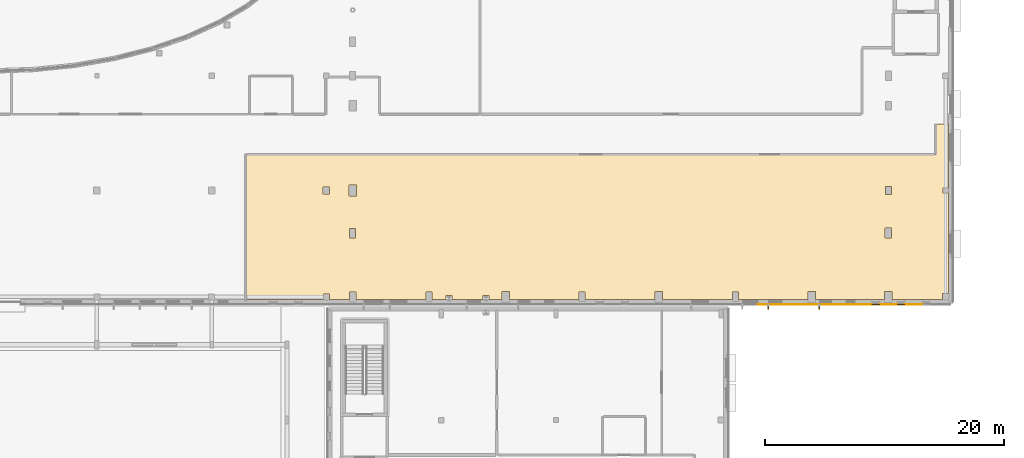
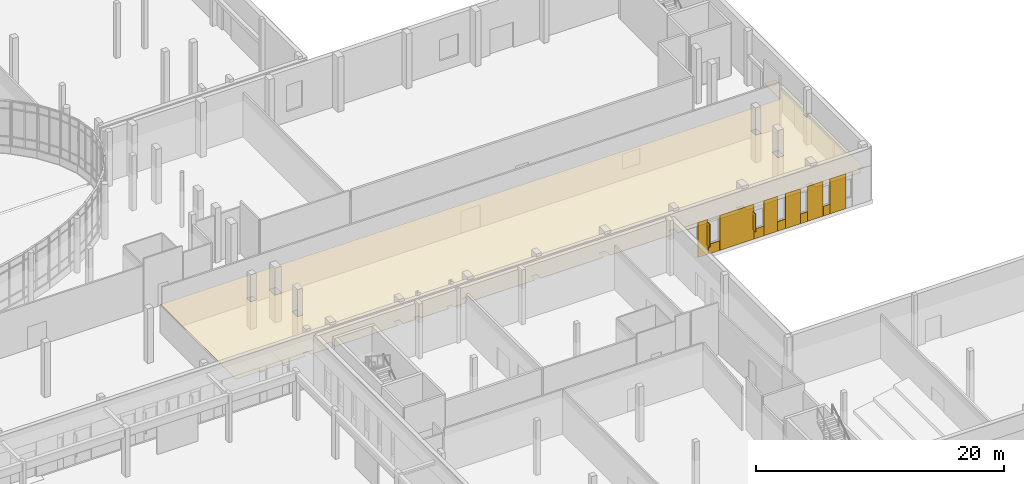
# One storey, part 80 of 84: 12 coverings, 2 shading devices.
"""IFC4 building model written with IfcOpenShell, lengths in metres."""

from ifc_helpers import new_model, si_unit, direction, frame, origin, origin_2d, place, context, subcontext, project, spatial, polyline, rectangle, outline, extrude, material, layer, layer_set, type_object, element, save


model = new_model("IFC4")

# Units and contexts
model_context = context("Model", 3, precision=1e-05, world=origin(), true_north=direction((0.0, 1.0)))
body_context = subcontext(model_context, "Body", "Model", "MODEL_VIEW")
ifc_project = project(units=[si_unit("LENGTHUNIT", "METRE"), si_unit("AREAUNIT", "SQUARE_METRE"), si_unit("VOLUMEUNIT", "CUBIC_METRE"), si_unit("PLANEANGLEUNIT", "RADIAN"), si_unit("MASSUNIT", "GRAM", prefix="KILO")], contexts=[model_context])

# Site, building, storey
site_placement = place(None, origin())
site = spatial("IfcSite", under=ifc_project, at=site_placement, CompositionType="ELEMENT")
building_placement = place(site_placement, origin())
building = spatial("IfcBuilding", under=site, at=building_placement, Name="Mzevani Central Library", CompositionType="ELEMENT")
storey_placement = place(building_placement, origin())
storey = spatial("IfcBuildingStorey", under=building, at=storey_placement, Name="L00", CompositionType="ELEMENT", Elevation=0.0)

# Shading devices
ifc_material_1 = material(Name="Anodized architectural bronze")
shading_device_type = type_object("IfcShadingDeviceType", Name="Anodized Bronze Vertical Sun-Breaker Fin", PredefinedType="USERDEFINED", material=ifc_material_1)
shading_device_1_placement = place(storey_placement, frame((153.22998046875, 42.27490234375, 0.9501953125), z_axis=(0.0, 0.0, 1.0), x_axis=(-1.0, 0.0, 0.0)))
element("IfcShadingDevice", 1, at=shading_device_1_placement, inside=storey, type_object=shading_device_type, Name="L00 V1 Solar Fin (5)", ObjectType="SOLAR FIN", PredefinedType="USERDEFINED", context=body_context, shape_type="SweptSolid", body=[
    extrude(rectangle(XDim=0.080078125, YDim=0.449951171875, at=origin_2d()), origin(), (0.0, 0.0, 1.0), 1.800048828125),
])
shading_device_2_placement = place(storey_placement, frame((148.955078125, 42.27490234375, 0.9501953125), z_axis=(0.0, 0.0, 1.0), x_axis=(-1.0, 0.0, 0.0)))
element("IfcShadingDevice", 2, at=shading_device_2_placement, inside=storey, type_object=shading_device_type, Name="L00 V1 Solar Fin (6)", ObjectType="SOLAR FIN", PredefinedType="USERDEFINED", context=body_context, shape_type="SweptSolid", body=[
    extrude(rectangle(XDim=0.080078125, YDim=0.449951171875, at=origin_2d()), origin(), (0.0, 0.0, 1.0), 2.300048828125),
])

# Coverings
ifc_material_2 = material(Name="Limestone ashlar cladding", Category="masonry")
ifc_layer_1 = layer(ifc_material_2, 0.050048828125, Name="Limestone Ashlar Spandrel Cladding")
ifc_layer_set_1 = layer_set([ifc_layer_1], Name="Limestone ashlar cladding")
covering_type_1 = type_object("IfcCoveringType", Name="Limestone Ashlar Spandrel Cladding", PredefinedType="CLADDING", material=ifc_layer_set_1)
covering_1_placement = place(storey_placement, frame((161.12255859375, 42.47607421875, 0.0), z_axis=(0.0, 0.0, 1.0), x_axis=(-1.0, 0.0, 0.0)))
element("IfcCovering", 3, at=covering_1_placement, inside=storey, type_object=covering_type_1, Name="L00 Warm-White Facade Pier 3 (EW4-V1-L00-0002)", PredefinedType="CLADDING", context=body_context, shape_type="SweptSolid", body=[
    extrude(rectangle(XDim=1.485107421875, YDim=0.050048828125, at=origin_2d()), origin(), (0.0, 0.0, 1.0), 3.449951171875),
])
covering_2_placement = place(storey_placement, frame((160.06005859375, 42.47607421875, 0.0), z_axis=(0.0, 0.0, 1.0), x_axis=(-1.0, 0.0, 0.0)))
element("IfcCovering", 4, at=covering_2_placement, inside=storey, type_object=covering_type_1, Name="L00 Warm-White Sill Cladding 4 (EW4-V1-L00-0002)", PredefinedType="CLADDING", context=body_context, shape_type="SweptSolid", body=[
    extrude(rectangle(XDim=0.60009765625, YDim=0.050048828125, at=origin_2d()), origin(), (0.0, 0.0, 1.0), 0.949951171875),
])
covering_3_placement = place(storey_placement, frame((159.0224609375, 42.47607421875, 0.0), z_axis=(0.0, 0.0, 1.0), x_axis=(-1.0, 0.0, 0.0)))
element("IfcCovering", 5, at=covering_3_placement, inside=storey, type_object=covering_type_1, Name="L00 Warm-White Facade Pier 5 (EW4-V1-L00-0002)", PredefinedType="CLADDING", context=body_context, shape_type="SweptSolid", body=[
    extrude(rectangle(XDim=1.43505859375, YDim=0.050048828125, at=origin_2d()), origin(), (0.0, 0.0, 1.0), 3.449951171875),
])
covering_4_placement = place(storey_placement, frame((157.9599609375, 42.47607421875, 0.0), z_axis=(0.0, 0.0, 1.0), x_axis=(-1.0, 0.0, 0.0)))
element("IfcCovering", 6, at=covering_4_placement, inside=storey, type_object=covering_type_1, Name="L00 Warm-White Sill Cladding 6 (EW4-V1-L00-0002)", PredefinedType="CLADDING", context=body_context, shape_type="SweptSolid", body=[
    extrude(rectangle(XDim=0.64990234375, YDim=0.050048828125, at=origin_2d()), origin(), (0.0, 0.0, 1.0), 0.949951171875),
])
covering_5_placement = place(storey_placement, frame((156.922607421875, 42.47607421875, 0.0), z_axis=(0.0, 0.0, 1.0), x_axis=(-1.0, 0.0, 0.0)))
element("IfcCovering", 7, at=covering_5_placement, inside=storey, type_object=covering_type_1, Name="L00 Warm-White Facade Pier 7 (EW4-V1-L00-0002)", PredefinedType="CLADDING", context=body_context, shape_type="SweptSolid", body=[
    extrude(rectangle(XDim=1.385009765625, YDim=0.050048828125, at=origin_2d()), origin(), (0.0, 0.0, 1.0), 3.449951171875),
])
covering_6_placement = place(storey_placement, frame((155.860107421875, 42.47607421875, 0.0), z_axis=(0.0, 0.0, 1.0), x_axis=(-1.0, 0.0, 0.0)))
element("IfcCovering", 8, at=covering_6_placement, inside=storey, type_object=covering_type_1, Name="L00 Warm-White Sill Cladding 8 (EW4-V1-L00-0002)", PredefinedType="CLADDING", context=body_context, shape_type="SweptSolid", body=[
    extrude(rectangle(XDim=0.699951171875, YDim=0.050048828125, at=origin_2d()), origin(), (0.0, 0.0, 1.0), 0.949951171875),
])
covering_7_placement = place(storey_placement, frame((154.860107421875, 42.47607421875, 0.0), z_axis=(0.0, 0.0, 1.0), x_axis=(-1.0, 0.0, 0.0)))
element("IfcCovering", 9, at=covering_7_placement, inside=storey, type_object=covering_type_1, Name="L00 Warm-White Facade Pier 9 (EW4-V1-L00-0002)", PredefinedType="CLADDING", context=body_context, shape_type="SweptSolid", body=[
    extrude(rectangle(XDim=1.260009765625, YDim=0.050048828125, at=origin_2d()), origin(), (0.0, 0.0, 1.0), 3.449951171875),
])
covering_8_placement = place(storey_placement, frame((153.760009765625, 42.47607421875, 0.0), z_axis=(0.0, 0.0, 1.0), x_axis=(-1.0, 0.0, 0.0)))
element("IfcCovering", 10, at=covering_8_placement, inside=storey, type_object=covering_type_1, Name="L00 Warm-White Sill Cladding 10 (EW4-V1-L00-0002)", PredefinedType="CLADDING", context=body_context, shape_type="SweptSolid", body=[
    extrude(rectangle(XDim=0.89990234375, YDim=0.050048828125, at=origin_2d()), origin(), (0.0, 0.0, 1.0), 0.949951171875),
])
covering_9_placement = place(storey_placement, frame((151.697509765625, 42.47607421875, 0.0), z_axis=(0.0, 0.0, 1.0), x_axis=(-1.0, 0.0, 0.0)))
element("IfcCovering", 11, at=covering_9_placement, inside=storey, type_object=covering_type_1, Name="L00 Warm-White Facade Pier 11 (EW4-V1-L00-0002)", PredefinedType="CLADDING", context=body_context, shape_type="SweptSolid", body=[
    extrude(rectangle(XDim=3.18505859375, YDim=0.050048828125, at=origin_2d()), origin(), (0.0, 0.0, 1.0), 3.449951171875),
])
covering_10_placement = place(storey_placement, frame((149.56005859375, 42.47607421875, 0.0), z_axis=(0.0, 0.0, 1.0), x_axis=(-1.0, 0.0, 0.0)))
element("IfcCovering", 12, at=covering_10_placement, inside=storey, type_object=covering_type_1, Name="L00 Warm-White Sill Cladding 12 (EW4-V1-L00-0002)", PredefinedType="CLADDING", context=body_context, shape_type="SweptSolid", body=[
    extrude(rectangle(XDim=1.050048828125, YDim=0.050048828125, at=origin_2d()), origin(), (0.0, 0.0, 1.0), 0.949951171875),
])
covering_11_placement = place(storey_placement, frame((148.547607421875, 42.47607421875, 0.0), z_axis=(0.0, 0.0, 1.0), x_axis=(-1.0, 0.0, 0.0)))
element("IfcCovering", 13, at=covering_11_placement, inside=storey, type_object=covering_type_1, Name="L00 Warm-White Facade Pier 13 (EW4-V1-L00-0002)", PredefinedType="CLADDING", context=body_context, shape_type="SweptSolid", body=[
    extrude(rectangle(XDim=0.93505859375, YDim=0.050048828125, at=origin_2d()), origin(), (0.0, 0.0, 1.0), 3.449951171875),
])
ifc_material_3 = material(Name="Mineral wool acoustic ceiling")
ifc_layer_2 = layer(ifc_material_3, 0.0400390625, Name="Perforated Timber Acoustic Ceiling")
ifc_layer_set_2 = layer_set([ifc_layer_2], Name="Mineral wool acoustic ceiling")
covering_type_2 = type_object("IfcCoveringType", Name="Perforated Timber Acoustic Ceiling", PredefinedType="CEILING", material=ifc_layer_set_2)
covering_12_placement = place(storey_placement, frame((0.0, 0.0, 2.72998046875)))
element("IfcCovering", 14, at=covering_12_placement, inside=storey, type_object=covering_type_2, Name="L00 Main Sunlit Reading Hall Acoustic Ceiling", PredefinedType="CEILING", context=body_context, shape_type="SweptSolid", body=[
    extrude(outline(polyline([(164.029296875, 57.5537109375), (164.030029296875, 43.375), (163.52490234375, 43.375), (163.52490234375, 42.8701171875), (159.300048828125, 42.8701171875), (159.300048828125, 43.550048828125), (158.699951171875, 43.550048828125), (158.699951171875, 42.8701171875), (152.89990234375, 42.8701171875), (152.89990234375, 43.550048828125), (152.300048828125, 43.550048828125), (152.300048828125, 42.8701171875), (146.449951171875, 42.8701171875), (146.449951171875, 43.5), (145.949951171875, 43.5), (145.949951171875, 42.8701171875), (140.10009765625, 42.8701171875), (140.10009765625, 43.550048828125), (139.5, 43.550048828125), (139.5, 42.8701171875), (133.64990234375, 42.8701171875), (133.64990234375, 43.5), (133.14990234375, 43.5), (133.14990234375, 42.8701171875), (127.300048828125, 42.8701171875), (127.300048828125, 43.550048828125), (126.699951171875, 43.550048828125), (126.699951171875, 42.8701171875), (125.60009765625, 42.8701171875), (125.60009765625, 43.199951171875), (125.10009765625, 43.199951171875), (125.10009765625, 42.8701171875), (122.5, 42.8701171875), (122.5, 43.199951171875), (122.0, 43.199951171875), (122.0, 42.8701171875), (120.85009765625, 42.8701171875), (120.85009765625, 43.5), (120.35009765625, 43.5), (120.35009765625, 42.8701171875), (114.47509765625, 42.8701171875), (114.47509765625, 43.52490234375), (113.925048828125, 43.52490234375), (113.925048828125, 42.8701171875), (112.25, 42.8701171875), (112.25, 43.35009765625), (111.75, 43.35009765625), (111.75, 42.8701171875), (105.240234375, 42.8779296875), (105.248046875, 55.02978515625), (162.969970703125, 55.030029296875), (162.970703125, 57.5537109375), (164.029296875, 57.5537109375)]), holes=[polyline([(112.27490234375, 52.27490234375), (111.72509765625, 52.27490234375), (111.72509765625, 51.72509765625), (112.27490234375, 51.72509765625), (112.27490234375, 52.27490234375)]), polyline([(113.89990234375, 51.550048828125), (114.5, 51.550048828125), (114.5, 52.449951171875), (113.89990234375, 52.449951171875), (113.89990234375, 51.550048828125)]), polyline([(159.25, 52.35009765625), (158.75, 52.35009765625), (158.75, 51.64990234375), (159.25, 51.64990234375), (159.25, 52.35009765625)]), polyline([(163.574951171875, 51.77490234375), (164.02490234375, 51.77490234375), (164.02490234375, 52.22509765625), (163.574951171875, 52.22509765625), (163.574951171875, 51.77490234375)]), polyline([(114.449951171875, 48.032958984375), (114.449951171875, 48.8330078125), (113.949951171875, 48.8330078125), (113.949951171875, 48.032958984375), (114.449951171875, 48.032958984375)]), polyline([(158.72509765625, 48.008056640625), (159.27490234375, 48.008056640625), (159.27490234375, 48.85791015625), (158.72509765625, 48.85791015625), (158.72509765625, 48.008056640625)])]), origin(), (0.0, 0.0, 1.0), 0.0400390625),
])

save(model, "model.ifc")
